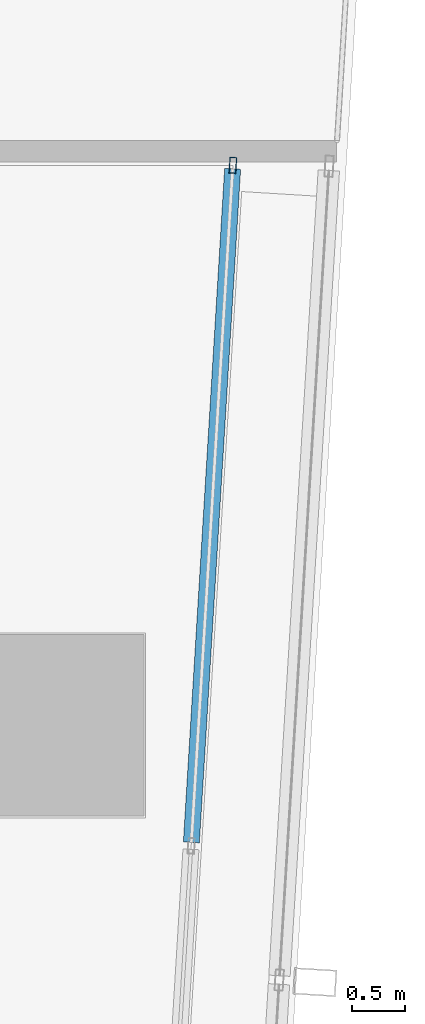
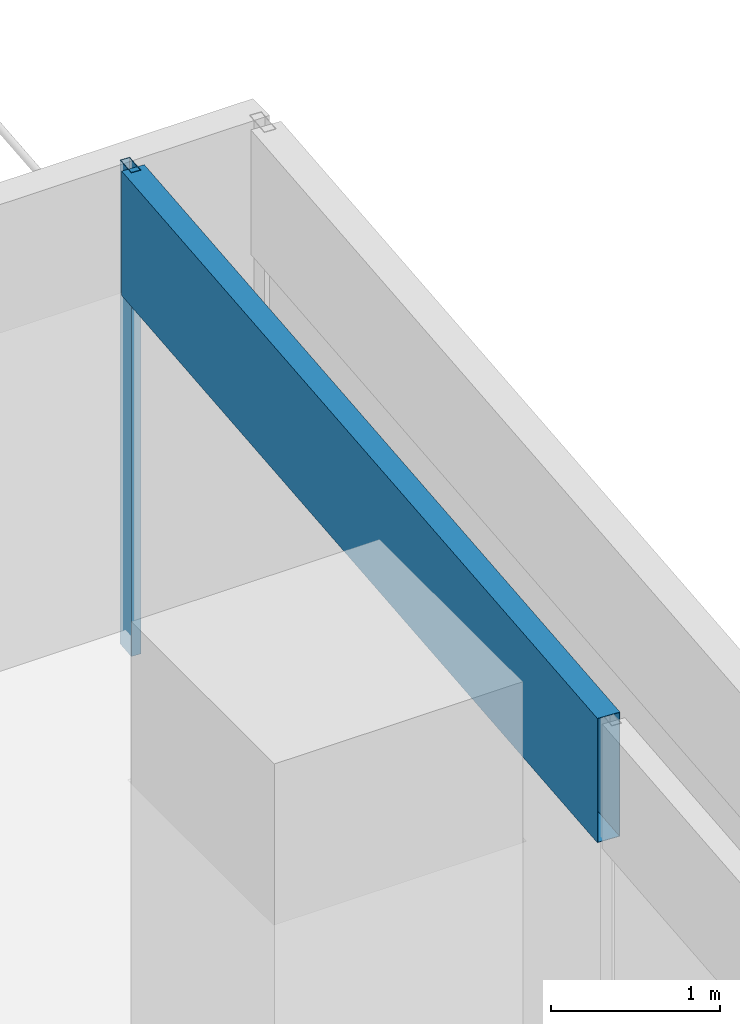
# One storey, part 13 of 40: 2 members, 1 element without a shape of its own.
"""IFC4 building model written with IfcOpenShell, lengths in metres."""

from ifc_helpers import new_model, si_unit, direction, frame, origin, origin_2d, place, context, subcontext, project, spatial, hollow_rectangle, extrude, material, material_profile, profile_set, type_object, element, aggregate, save


model = new_model("IFC4")

# Units and contexts
model_context = context("Model", 3, precision=1e-05, world=origin(), true_north=direction((0.0, 1.0)))
body_context = subcontext(model_context, "Body", "Model", "MODEL_VIEW")
ifc_project = project(units=[si_unit("LENGTHUNIT", "METRE"), si_unit("AREAUNIT", "SQUARE_METRE"), si_unit("VOLUMEUNIT", "CUBIC_METRE"), si_unit("PLANEANGLEUNIT", "RADIAN"), si_unit("MASSUNIT", "GRAM", prefix="KILO")], contexts=[model_context])

# Site, building, storey
site_placement = place(None, origin())
site = spatial("IfcSite", under=ifc_project, at=site_placement, CompositionType="ELEMENT")
building_placement = place(site_placement, origin())
building = spatial("IfcBuilding", under=site, at=building_placement, Name="Rekha Terrace Tower", CompositionType="ELEMENT")
storey_placement = place(building_placement, frame((0.0, 0.0, 99.050048828125)))
storey = spatial("IfcBuildingStorey", under=building, at=storey_placement, Name="L24", CompositionType="ELEMENT", Elevation=99.050048828125)

# Curtain wall, members
ifc_material_1 = material(Name="Aluminium framing", Category="aluminium")
curtain_wall_type = type_object("IfcCurtainWallType", Name="CW1 double skin inner glazing", PredefinedType="USERDEFINED", material=ifc_material_1)
curtain_wall_placement = place(storey_placement, origin())
curtain_wall = element("IfcCurtainWall", 1, at=curtain_wall_placement, inside=storey, type_object=curtain_wall_type, Name="CW1 double skin inner glazing", ObjectType="DOUBLE SKIN INNER GLAZING", PredefinedType="USERDEFINED")
ifc_material_2 = material(Name="Aluminium mullion section", Category="aluminium")
ifc_material_profile_1 = material_profile(ifc_material_2, hollow_rectangle(XDim=0.06494140625, YDim=0.14990234375, WallThickness=0.00390625, at=origin_2d()), Name="AL RHS 65x150")
ifc_profile_set_1 = profile_set([ifc_material_profile_1], Name="Aluminium mullion section")
member_type_1 = type_object("IfcMemberType", Name="CW1 mullion RHS 65 x 150", PredefinedType="MULLION", material=ifc_profile_set_1)
member_1_placement = place(storey_placement, frame((68.884521484375, 30.445556640625, 0.0), z_axis=(0.0, 0.0, 1.0), x_axis=(-0.998127987026, 0.061159803096, 0.0)))
member_1 = element("IfcMember", 2, at=member_1_placement, type_object=member_type_1, Name="CW1 mullion 3", PredefinedType="MULLION", context=body_context, shape_type="SweptSolid", body=[
    extrude(hollow_rectangle(XDim=0.06494140625, YDim=0.14990234375, WallThickness=0.00390625, at=origin_2d()), origin(), (0.0, 0.0, 1.0), 3.5),
])
ifc_material_3 = material(Name="Insulated aluminium spandrel box", Category="aluminium")
ifc_material_profile_2 = material_profile(ifc_material_3, hollow_rectangle(XDim=0.14990234375, YDim=0.89990234375, WallThickness=0.0029296875, at=origin_2d()), Name="AL SPANDREL BOX 150x900")
ifc_profile_set_2 = profile_set([ifc_material_profile_2], Name="Insulated aluminium spandrel box")
member_type_2 = type_object("IfcMemberType", Name="CW1 spandrel transom 150 x 900", PredefinedType="USERDEFINED", material=ifc_profile_set_2)
member_2_placement = place(storey_placement, frame((68.495849609375, 24.10498046875, 3.050048828125), z_axis=(0.061151690931, 0.998128484062, 0.0), x_axis=(-0.998128484062, 0.061151690931, 0.0)))
member_2 = element("IfcMember", 3, at=member_2_placement, type_object=member_type_2, Name="CW1 spandrel transom 2", ObjectType="TRANSOM", PredefinedType="USERDEFINED", context=body_context, shape_type="SweptSolid", body=[
    extrude(hollow_rectangle(XDim=0.14990234375, YDim=0.89990234375, WallThickness=0.0029296875, at=origin_2d()), origin(), (0.0, 0.0, 1.0), 6.31982421875),
])
aggregate(curtain_wall, [member_1, member_2])

save(model, "model.ifc")
